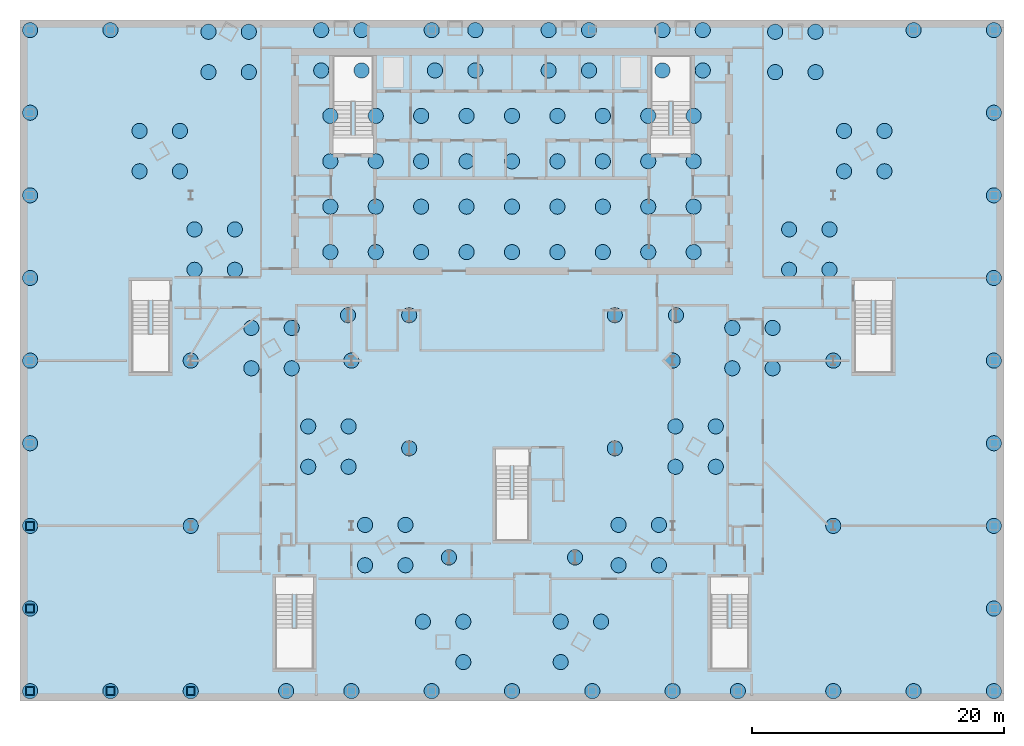
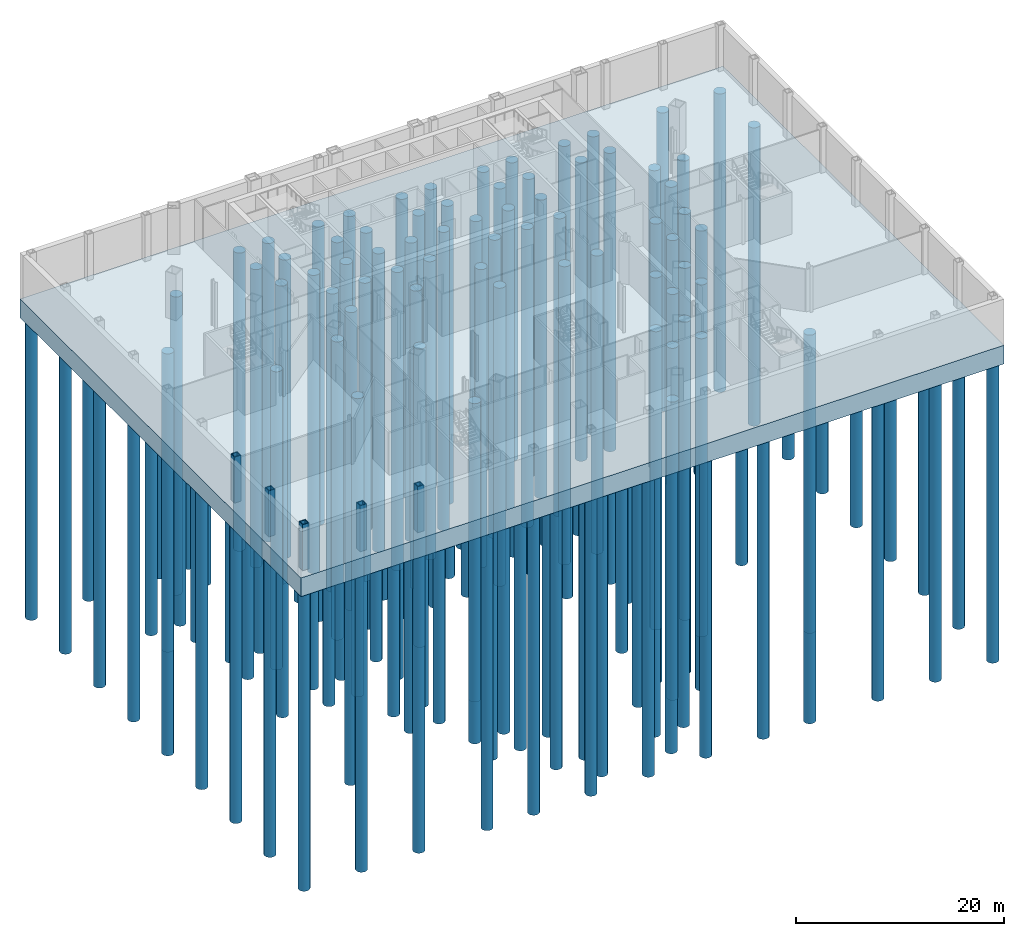
# One storey, part 1 of 19: 151 piles, 5 columns, 1 footing.
"""IFC4 building model written with IfcOpenShell, lengths in metres."""

from ifc_helpers import new_model, si_unit, direction, frame, origin, origin_2d, place, context, subcontext, project, spatial, polyline, hollow_rectangle, circle, outline, extrude, material, layer, layer_set, material_profile, profile_set, type_object, element, save


model = new_model("IFC4")

# Units and contexts
model_context = context("Model", 3, precision=1e-05, world=origin(), true_north=direction((0.0, 1.0)))
body_context = subcontext(model_context, "Body", "Model", "MODEL_VIEW")
ifc_project = project(units=[si_unit("LENGTHUNIT", "METRE"), si_unit("AREAUNIT", "SQUARE_METRE"), si_unit("VOLUMEUNIT", "CUBIC_METRE"), si_unit("PLANEANGLEUNIT", "RADIAN"), si_unit("MASSUNIT", "GRAM", prefix="KILO")], contexts=[model_context])

# Site, building, storey
site_placement = place(None, origin())
site = spatial("IfcSite", under=ifc_project, at=site_placement, CompositionType="ELEMENT")
building_placement = place(site_placement, origin())
building = spatial("IfcBuilding", under=site, at=building_placement, Name="Njiva Tower", CompositionType="ELEMENT")
storey_placement = place(building_placement, frame((0.0, 0.0, -16.8)))
storey = spatial("IfcBuildingStorey", under=building, at=storey_placement, Name="B3", CompositionType="ELEMENT", Elevation=-16.8)

# Footing
ifc_material_1 = material(Name="Concrete C40/50", Category="concrete")
ifc_layer = layer(ifc_material_1, 2.2)
ifc_layer_set = layer_set([ifc_layer], Name="Concrete C40/50")
footing_type = type_object("IfcFootingType", Name="F1 Piled raft 2200", PredefinedType="USERDEFINED", material=ifc_layer_set)
footing_placement = place(storey_placement, frame((0.0, 0.0, -2.6)))
element("IfcFooting", 1, at=footing_placement, inside=storey, type_object=footing_type, Name="Piled raft", ObjectType="PILED RAFT", PredefinedType="USERDEFINED", context=body_context, shape_type="SweptSolid", body=[
    extrude(outline(polyline([(39.0, -33.8), (39.0, 20.2), (-39.0, 20.2), (-39.0, -33.8), (39.0, -33.8)])), origin(), (0.0, 0.0, 1.0), 2.2),
])

# Piles
ifc_material_2 = material(Name="Concrete C35/45", Category="concrete")
ifc_material_profile_1 = material_profile(ifc_material_2, circle(Radius=0.6, at=origin_2d()), Name="D1200")
ifc_profile_set_1 = profile_set([ifc_material_profile_1], Name="Concrete C35/45")
pile_type = type_object("IfcPileType", Name="P1 Bored pile D1200", PredefinedType="BORED", material=ifc_profile_set_1)
for number, where, z_axis, x_axis, name in (
    (2, (-38.2, -33.0, -2.5), (0.0, 0.0, -1.0), (1.0, 0.0, 0.0), "Bored pile 1"),
    (3, (-31.833, -33.0, -2.5), (0.0, 0.0, -1.0), (1.0, 0.0, 0.0), "Bored pile 2"),
    (4, (-25.467, -33.0, -2.5), (0.0, 0.0, -1.0), (1.0, 0.0, 0.0), "Bored pile 3"),
    (5, (-17.9, -33.0, -2.5), (0.0, 0.0, -1.0), (1.0, 0.0, 0.0), "Bored pile 4"),
    (6, (-12.733, -33.0, -2.5), (0.0, 0.0, -1.0), (1.0, 0.0, 0.0), "Bored pile 5"),
    (7, (-6.367, -33.0, -2.5), (0.0, 0.0, -1.0), (1.0, 0.0, 0.0), "Bored pile 6"),
    (8, (0.0, -33.0, -2.5), (0.0, 0.0, -1.0), (1.0, 0.0, 0.0), "Bored pile 7"),
    (9, (6.367, -33.0, -2.5), (0.0, 0.0, -1.0), (1.0, 0.0, 0.0), "Bored pile 8"),
    (10, (12.733, -33.0, -2.5), (0.0, 0.0, -1.0), (1.0, 0.0, 0.0), "Bored pile 9"),
    (11, (17.9, -33.0, -2.5), (0.0, 0.0, -1.0), (1.0, 0.0, 0.0), "Bored pile 10"),
    (12, (25.467, -33.0, -2.5), (0.0, 0.0, -1.0), (1.0, 0.0, 0.0), "Bored pile 11"),
    (13, (31.833, -33.0, -2.5), (0.0, 0.0, -1.0), (1.0, 0.0, 0.0), "Bored pile 12"),
    (14, (38.2, -33.0, -2.5), (0.0, 0.0, -1.0), (1.0, 0.0, 0.0), "Bored pile 13"),
    (15, (-3.861, -30.696, -2.5), (0.0, 0.0, -1.0), (1.0, 0.0, 0.0), "Bored pile 14"),
    (16, (-7.061, -27.496, -2.5), (0.0, 0.0, -1.0), (1.0, 0.0, 0.0), "Bored pile 15"),
    (17, (-3.861, -27.496, -2.5), (0.0, 0.0, -1.0), (1.0, 0.0, 0.0), "Bored pile 16"),
    (18, (3.861, -30.696, -2.5), (0.0, 0.0, -1.0), (1.0, 0.0, 0.0), "Bored pile 17"),
    (19, (3.861, -27.496, -2.5), (0.0, 0.0, -1.0), (1.0, 0.0, 0.0), "Bored pile 18"),
    (20, (7.061, -27.496, -2.5), (0.0, 0.0, -1.0), (1.0, 0.0, 0.0), "Bored pile 19"),
    (21, (-38.2, -26.45, -2.5), (0.0, 0.0, -1.0), (1.0, 0.0, 0.0), "Bored pile 20"),
    (22, (38.2, -26.45, -2.5), (0.0, 0.0, -1.0), (1.0, 0.0, 0.0), "Bored pile 21"),
    (23, (-5.0, -22.4, -2.5), (0.0, 0.0, -1.0), (1.0, 0.0, 0.0), "Bored pile 22"),
    (24, (5.0, -22.4, -2.5), (0.0, 0.0, -1.0), (1.0, 0.0, 0.0), "Bored pile 23"),
    (25, (-11.646, -23.022, -2.5), (0.0, 0.0, -1.0), (1.0, 0.0, 0.0), "Bored pile 24"),
    (26, (-8.446, -23.022, -2.5), (0.0, 0.0, -1.0), (1.0, 0.0, 0.0), "Bored pile 25"),
    (27, (-11.646, -19.822, -2.5), (0.0, 0.0, -1.0), (1.0, 0.0, 0.0), "Bored pile 26"),
    (28, (-8.446, -19.822, -2.5), (0.0, 0.0, -1.0), (1.0, 0.0, 0.0), "Bored pile 27"),
    (29, (8.446, -23.022, -2.5), (0.0, 0.0, -1.0), (1.0, 0.0, 0.0), "Bored pile 28"),
    (30, (11.646, -23.022, -2.5), (0.0, 0.0, -1.0), (1.0, 0.0, 0.0), "Bored pile 29"),
    (31, (8.446, -19.822, -2.5), (0.0, 0.0, -1.0), (1.0, 0.0, 0.0), "Bored pile 30"),
    (32, (11.646, -19.822, -2.5), (0.0, 0.0, -1.0), (1.0, 0.0, 0.0), "Bored pile 31"),
    (33, (-38.2, -19.9, -2.5), (0.0, 0.0, -1.0), (1.0, 0.0, 0.0), "Bored pile 32"),
    (34, (-25.467, -19.9, -2.5), (0.0, 0.0, -1.0), (1.0, 0.0, 0.0), "Bored pile 33"),
    (35, (25.467, -19.9, -2.5), (0.0, 0.0, -1.0), (1.0, 0.0, 0.0), "Bored pile 34"),
    (36, (38.2, -19.9, -2.5), (0.0, 0.0, -1.0), (1.0, 0.0, 0.0), "Bored pile 35"),
    (37, (-8.15, -13.75, -2.5), (0.0, 0.0, -1.0), (1.0, 0.0, 0.0), "Bored pile 36"),
    (38, (8.15, -13.75, -2.5), (0.0, 0.0, -1.0), (1.0, 0.0, 0.0), "Bored pile 37"),
    (39, (-16.153, -15.215, -2.5), (0.0, 0.0, -1.0), (1.0, 0.0, 0.0), "Bored pile 38"),
    (40, (-12.953, -15.215, -2.5), (0.0, 0.0, -1.0), (1.0, 0.0, 0.0), "Bored pile 39"),
    (41, (-16.153, -12.015, -2.5), (0.0, 0.0, -1.0), (1.0, 0.0, 0.0), "Bored pile 40"),
    (42, (-12.953, -12.015, -2.5), (0.0, 0.0, -1.0), (1.0, 0.0, 0.0), "Bored pile 41"),
    (43, (12.953, -15.215, -2.5), (0.0, 0.0, -1.0), (1.0, 0.0, 0.0), "Bored pile 42"),
    (44, (16.153, -15.215, -2.5), (0.0, 0.0, -1.0), (1.0, 0.0, 0.0), "Bored pile 43"),
    (45, (12.953, -12.015, -2.5), (0.0, 0.0, -1.0), (1.0, 0.0, 0.0), "Bored pile 44"),
    (46, (16.153, -12.015, -2.5), (0.0, 0.0, -1.0), (1.0, 0.0, 0.0), "Bored pile 45"),
    (47, (-38.2, -13.35, -2.5), (0.0, 0.0, -1.0), (1.0, 0.0, 0.0), "Bored pile 46"),
    (48, (38.2, -13.35, -2.5), (0.0, 0.0, -1.0), (1.0, 0.0, 0.0), "Bored pile 47"),
    (49, (-38.2, -6.8, -2.5), (0.0, 0.0, -1.0), (1.0, 0.0, 0.0), "Bored pile 48"),
    (50, (-25.467, -6.8, -2.5), (0.0, 0.0, -1.0), (1.0, 0.0, 0.0), "Bored pile 49"),
    (51, (-12.733, -6.8, -2.5), (0.0, 0.0, -1.0), (1.0, 0.0, 0.0), "Bored pile 50"),
    (52, (12.733, -6.8, -2.5), (0.0, 0.0, -1.0), (1.0, 0.0, 0.0), "Bored pile 51"),
    (53, (25.467, -6.8, -2.5), (0.0, 0.0, -1.0), (1.0, 0.0, 0.0), "Bored pile 52"),
    (54, (38.2, -6.8, -2.5), (0.0, 0.0, -1.0), (1.0, 0.0, 0.0), "Bored pile 53"),
    (55, (-20.661, -7.407, -2.5), (0.0, 0.0, -1.0), (1.0, 0.0, 0.0), "Bored pile 54"),
    (56, (-17.461, -7.407, -2.5), (0.0, 0.0, -1.0), (1.0, 0.0, 0.0), "Bored pile 55"),
    (57, (-20.661, -4.207, -2.5), (0.0, 0.0, -1.0), (1.0, 0.0, 0.0), "Bored pile 56"),
    (58, (-17.461, -4.207, -2.5), (0.0, 0.0, -1.0), (1.0, 0.0, 0.0), "Bored pile 57"),
    (59, (17.461, -7.407, -2.5), (0.0, 0.0, -1.0), (1.0, 0.0, 0.0), "Bored pile 58"),
    (60, (20.661, -7.407, -2.5), (0.0, 0.0, -1.0), (1.0, 0.0, 0.0), "Bored pile 59"),
    (61, (17.461, -4.207, -2.5), (0.0, 0.0, -1.0), (1.0, 0.0, 0.0), "Bored pile 60"),
    (62, (20.661, -4.207, -2.5), (0.0, 0.0, -1.0), (1.0, 0.0, 0.0), "Bored pile 61"),
    (63, (-13.0, -3.2, -2.5), (0.0, 0.0, -1.0), (1.0, 0.0, 0.0), "Bored pile 62"),
    (64, (-8.15, -3.2, -2.5), (0.0, 0.0, -1.0), (1.0, 0.0, 0.0), "Bored pile 63"),
    (65, (8.15, -3.2, -2.5), (0.0, 0.0, -1.0), (1.0, 0.0, 0.0), "Bored pile 64"),
    (66, (13.0, -3.2, -2.5), (0.0, 0.0, -1.0), (1.0, 0.0, 0.0), "Bored pile 65"),
    (67, (-38.2, -0.25, -2.5), (0.0, 0.0, -1.0), (1.0, 0.0, 0.0), "Bored pile 66"),
    (68, (38.2, -0.25, -2.5), (0.0, 0.0, -1.0), (1.0, 0.0, 0.0), "Bored pile 67"),
    (69, (-25.169, 0.4, -2.5), (0.0, 0.0, -1.0), (1.0, 0.0, 0.0), "Bored pile 68"),
    (70, (-21.969, 0.4, -2.5), (0.0, 0.0, -1.0), (1.0, 0.0, 0.0), "Bored pile 69"),
    (71, (-25.169, 3.6, -2.5), (0.0, 0.0, -1.0), (1.0, 0.0, 0.0), "Bored pile 70"),
    (72, (-21.969, 3.6, -2.5), (0.0, 0.0, -1.0), (1.0, 0.0, 0.0), "Bored pile 71"),
    (73, (21.969, 0.4, -2.5), (0.0, 0.0, -1.0), (1.0, 0.0, 0.0), "Bored pile 72"),
    (74, (25.169, 0.4, -2.5), (0.0, 0.0, -1.0), (1.0, 0.0, 0.0), "Bored pile 73"),
    (75, (21.969, 3.6, -2.5), (0.0, 0.0, -1.0), (1.0, 0.0, 0.0), "Bored pile 74"),
    (76, (25.169, 3.6, -2.5), (0.0, 0.0, -1.0), (1.0, 0.0, 0.0), "Bored pile 75"),
    (77, (-38.2, 6.3, -2.5), (0.0, 0.0, -1.0), (1.0, 0.0, 0.0), "Bored pile 76"),
    (78, (38.2, 6.3, -2.5), (0.0, 0.0, -1.0), (1.0, 0.0, 0.0), "Bored pile 77"),
    (79, (-29.523, 8.208, -2.5), (0.0, 0.0, -1.0), (1.0, 0.0, 0.0), "Bored pile 78"),
    (80, (-26.323, 8.208, -2.5), (0.0, 0.0, -1.0), (1.0, 0.0, 0.0), "Bored pile 79"),
    (81, (-29.523, 11.408, -2.5), (0.0, 0.0, -1.0), (1.0, 0.0, 0.0), "Bored pile 80"),
    (82, (-26.323, 11.408, -2.5), (0.0, 0.0, -1.0), (1.0, 0.0, 0.0), "Bored pile 81"),
    (83, (26.323, 8.208, -2.5), (0.0, 0.0, -1.0), (1.0, 0.0, 0.0), "Bored pile 82"),
    (84, (29.523, 8.208, -2.5), (0.0, 0.0, -1.0), (1.0, 0.0, 0.0), "Bored pile 83"),
    (85, (26.323, 11.408, -2.5), (0.0, 0.0, -1.0), (1.0, 0.0, 0.0), "Bored pile 84"),
    (86, (29.523, 11.408, -2.5), (0.0, 0.0, -1.0), (1.0, 0.0, 0.0), "Bored pile 85"),
    (87, (-38.2, 12.85, -2.5), (0.0, 0.0, -1.0), (1.0, 0.0, 0.0), "Bored pile 86"),
    (88, (38.2, 12.85, -2.5), (0.0, 0.0, -1.0), (1.0, 0.0, 0.0), "Bored pile 87"),
    (89, (-24.061, 19.267, -2.5), (0.0, 0.0, -1.0), (1.0, 0.0, 0.0), "Bored pile 88"),
    (90, (-20.861, 19.267, -2.5), (0.0, 0.0, -1.0), (1.0, 0.0, 0.0), "Bored pile 89"),
    (91, (-24.061, 16.067, -2.5), (0.0, 0.0, -1.0), (1.0, 0.0, 0.0), "Bored pile 90"),
    (92, (-20.861, 16.067, -2.5), (0.0, 0.0, -1.0), (1.0, 0.0, 0.0), "Bored pile 91"),
    (93, (20.861, 19.267, -2.5), (0.0, 0.0, -1.0), (1.0, 0.0, 0.0), "Bored pile 92"),
    (94, (24.061, 19.267, -2.5), (0.0, 0.0, -1.0), (1.0, 0.0, 0.0), "Bored pile 93"),
    (95, (20.861, 16.067, -2.5), (0.0, 0.0, -1.0), (1.0, 0.0, 0.0), "Bored pile 94"),
    (96, (24.061, 16.067, -2.5), (0.0, 0.0, -1.0), (1.0, 0.0, 0.0), "Bored pile 95"),
    (97, (-38.2, 19.4, -2.5), (0.0, 0.0, -1.0), (1.0, 0.0, 0.0), "Bored pile 96"),
    (98, (-31.833, 19.4, -2.5), (0.0, 0.0, -1.0), (1.0, 0.0, 0.0), "Bored pile 97"),
    (99, (-15.123, 19.4, -2.5), (0.0, 0.0, -1.0), (1.0, 0.0, 0.0), "Bored pile 98"),
    (100, (-11.923, 19.4, -2.5), (0.0, 0.0, -1.0), (1.0, 0.0, 0.0), "Bored pile 99"),
    (101, (-15.123, 16.2, -2.5), (0.0, 0.0, -1.0), (1.0, 0.0, 0.0), "Bored pile 100"),
    (102, (-11.923, 16.2, -2.5), (0.0, 0.0, -1.0), (1.0, 0.0, 0.0), "Bored pile 101"),
    (103, (-6.367, 19.4, -2.5), (0.0, 0.0, -1.0), (1.0, 0.0, 0.0), "Bored pile 102"),
    (104, (-2.908, 19.4, -2.5), (0.0, 0.0, -1.0), (1.0, 0.0, 0.0), "Bored pile 103"),
    (105, (-6.108, 16.2, -2.5), (0.0, 0.0, -1.0), (1.0, 0.0, 0.0), "Bored pile 104"),
    (106, (-2.908, 16.2, -2.5), (0.0, 0.0, -1.0), (1.0, 0.0, 0.0), "Bored pile 105"),
    (107, (2.908, 19.4, -2.5), (0.0, 0.0, -1.0), (1.0, 0.0, 0.0), "Bored pile 106"),
    (108, (6.108, 19.4, -2.5), (0.0, 0.0, -1.0), (1.0, 0.0, 0.0), "Bored pile 107"),
    (109, (2.908, 16.2, -2.5), (0.0, 0.0, -1.0), (1.0, 0.0, 0.0), "Bored pile 108"),
    (110, (6.108, 16.2, -2.5), (0.0, 0.0, -1.0), (1.0, 0.0, 0.0), "Bored pile 109"),
    (111, (11.923, 19.4, -2.5), (0.0, 0.0, -1.0), (1.0, 0.0, 0.0), "Bored pile 110"),
    (112, (15.123, 19.4, -2.5), (0.0, 0.0, -1.0), (1.0, 0.0, 0.0), "Bored pile 111"),
    (113, (11.923, 16.2, -2.5), (0.0, 0.0, -1.0), (1.0, 0.0, 0.0), "Bored pile 112"),
    (114, (15.123, 16.2, -2.5), (0.0, 0.0, -1.0), (1.0, 0.0, 0.0), "Bored pile 113"),
    (115, (31.833, 19.4, -2.5), (0.0, 0.0, -1.0), (1.0, 0.0, 0.0), "Bored pile 114"),
    (116, (38.2, 19.4, -2.5), (0.0, 0.0, -1.0), (1.0, 0.0, 0.0), "Bored pile 115"),
    (117, (-14.4, 1.8, -2.5), (0.0, 0.0, -1.0), (1.0, 0.0, 0.0), "Bored pile 116"),
    (118, (-10.8, 1.8, -2.5), (0.0, 0.0, -1.0), (1.0, 0.0, 0.0), "Bored pile 117"),
    (119, (-7.2, 1.8, -2.5), (0.0, 0.0, -1.0), (1.0, 0.0, 0.0), "Bored pile 118"),
    (120, (-3.6, 1.8, -2.5), (0.0, 0.0, -1.0), (1.0, 0.0, 0.0), "Bored pile 119"),
    (121, (0.0, 1.8, -2.5), (0.0, 0.0, -1.0), (1.0, 0.0, 0.0), "Bored pile 120"),
    (122, (3.6, 1.8, -2.5), (0.0, 0.0, -1.0), (1.0, 0.0, 0.0), "Bored pile 121"),
    (123, (7.2, 1.8, -2.5), (0.0, 0.0, -1.0), (1.0, 0.0, 0.0), "Bored pile 122"),
    (124, (10.8, 1.8, -2.5), (0.0, 0.0, -1.0), (1.0, 0.0, 0.0), "Bored pile 123"),
    (125, (14.4, 1.8, -2.5), (0.0, 0.0, -1.0), (1.0, 0.0, 0.0), "Bored pile 124"),
    (126, (-14.4, 5.4, -2.5), (0.0, 0.0, -1.0), (1.0, 0.0, 0.0), "Bored pile 125"),
    (127, (-10.8, 5.4, -2.5), (0.0, 0.0, -1.0), (1.0, 0.0, 0.0), "Bored pile 126"),
    (128, (-7.2, 5.4, -2.5), (0.0, 0.0, -1.0), (1.0, 0.0, 0.0), "Bored pile 127"),
    (129, (-3.6, 5.4, -2.5), (0.0, 0.0, -1.0), (1.0, 0.0, 0.0), "Bored pile 128"),
    (130, (0.0, 5.4, -2.5), (0.0, 0.0, -1.0), (1.0, 0.0, 0.0), "Bored pile 129"),
    (131, (3.6, 5.4, -2.5), (0.0, 0.0, -1.0), (1.0, 0.0, 0.0), "Bored pile 130"),
    (132, (7.2, 5.4, -2.5), (0.0, 0.0, -1.0), (1.0, 0.0, 0.0), "Bored pile 131"),
    (133, (10.8, 5.4, -2.5), (0.0, 0.0, -1.0), (1.0, 0.0, 0.0), "Bored pile 132"),
    (134, (14.4, 5.4, -2.5), (0.0, 0.0, -1.0), (1.0, 0.0, 0.0), "Bored pile 133"),
    (135, (-14.4, 9.0, -2.5), (0.0, 0.0, -1.0), (1.0, 0.0, 0.0), "Bored pile 134"),
    (136, (-10.8, 9.0, -2.5), (0.0, 0.0, -1.0), (1.0, 0.0, 0.0), "Bored pile 135"),
    (137, (-7.2, 9.0, -2.5), (0.0, 0.0, -1.0), (1.0, 0.0, 0.0), "Bored pile 136"),
    (138, (-3.6, 9.0, -2.5), (0.0, 0.0, -1.0), (1.0, 0.0, 0.0), "Bored pile 137"),
    (139, (0.0, 9.0, -2.5), (0.0, 0.0, -1.0), (1.0, 0.0, 0.0), "Bored pile 138"),
    (140, (3.6, 9.0, -2.5), (0.0, 0.0, -1.0), (1.0, 0.0, 0.0), "Bored pile 139"),
    (141, (7.2, 9.0, -2.5), (0.0, 0.0, -1.0), (1.0, 0.0, 0.0), "Bored pile 140"),
    (142, (10.8, 9.0, -2.5), (0.0, 0.0, -1.0), (1.0, 0.0, 0.0), "Bored pile 141"),
    (143, (14.4, 9.0, -2.5), (0.0, 0.0, -1.0), (1.0, 0.0, 0.0), "Bored pile 142"),
    (144, (-14.4, 12.6, -2.5), (0.0, 0.0, -1.0), (1.0, 0.0, 0.0), "Bored pile 143"),
    (145, (-10.8, 12.6, -2.5), (0.0, 0.0, -1.0), (1.0, 0.0, 0.0), "Bored pile 144"),
    (146, (-7.2, 12.6, -2.5), (0.0, 0.0, -1.0), (1.0, 0.0, 0.0), "Bored pile 145"),
    (147, (-3.6, 12.6, -2.5), (0.0, 0.0, -1.0), (1.0, 0.0, 0.0), "Bored pile 146"),
    (148, (0.0, 12.6, -2.5), (0.0, 0.0, -1.0), (1.0, 0.0, 0.0), "Bored pile 147"),
    (149, (3.6, 12.6, -2.5), (0.0, 0.0, -1.0), (1.0, 0.0, 0.0), "Bored pile 148"),
    (150, (7.2, 12.6, -2.5), (0.0, 0.0, -1.0), (1.0, 0.0, 0.0), "Bored pile 149"),
    (151, (10.8, 12.6, -2.5), (0.0, 0.0, -1.0), (1.0, 0.0, 0.0), "Bored pile 150"),
    (152, (14.4, 12.6, -2.5), (0.0, 0.0, -1.0), (1.0, 0.0, 0.0), "Bored pile 151"),
):
    element("IfcPile", number, at=place(storey_placement, frame(where, z_axis=z_axis, x_axis=x_axis)), inside=storey, type_object=pile_type, Name=name, PredefinedType="BORED", context=body_context, shape_type="SweptSolid", body=[
        extrude(circle(Radius=0.6, at=origin_2d()), origin(), (0.0, 0.0, 1.0), 35.0),
    ])

# Columns
ifc_material_3 = material(Name="Steel S355 J2", Category="steel")
ifc_material_profile_2 = material_profile(ifc_material_3, hollow_rectangle(XDim=0.7, YDim=0.7, WallThickness=0.08, at=origin_2d()), Name="BOX 700x700x80")
ifc_profile_set_2 = profile_set([ifc_material_profile_2], Name="Steel S355 J2")
column_type = type_object("IfcColumnType", Name="C3 Podium perimeter column BOX 700x700x80", PredefinedType="COLUMN", material=ifc_profile_set_2)
for number, where, z_axis, x_axis, name in (
    (153, (-38.2, -19.9, 0.0), (0.0, 0.0, 1.0), (0.0, -1.0, 0.0), "Podium perimeter column B3-C48"),
    (154, (-38.2, -26.45, 0.0), (0.0, 0.0, 1.0), (0.0, -1.0, 0.0), "Podium perimeter column B3-C49"),
    (155, (-38.2, -33.0, 0.0), (0.0, 0.0, 1.0), (1.0, 0.0, 0.0), "Podium perimeter column B3-C50"),
    (156, (-31.833, -33.0, 0.0), (0.0, 0.0, 1.0), (1.0, 0.0, 0.0), "Podium perimeter column B3-C51"),
    (157, (-25.467, -33.0, 0.0), (0.0, 0.0, 1.0), (1.0, 0.0, 0.0), "Podium perimeter column B3-C52"),
):
    element("IfcColumn", number, at=place(storey_placement, frame(where, z_axis=z_axis, x_axis=x_axis)), inside=storey, type_object=column_type, Name=name, PredefinedType="COLUMN", context=body_context, shape_type="SweptSolid", body=[
        extrude(hollow_rectangle(XDim=0.7, YDim=0.7, WallThickness=0.08, at=origin_2d()), origin(), (0.0, 0.0, 1.0), 5.4),
    ])

save(model, "model.ifc")
